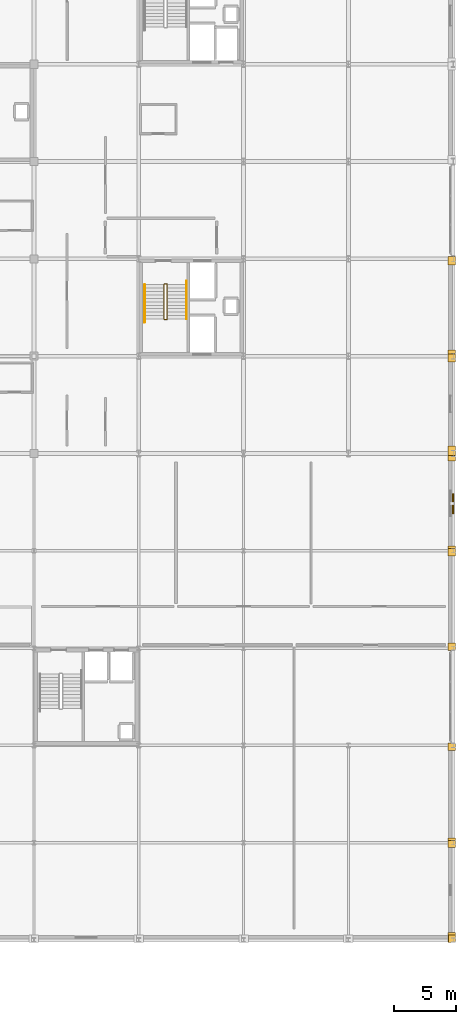
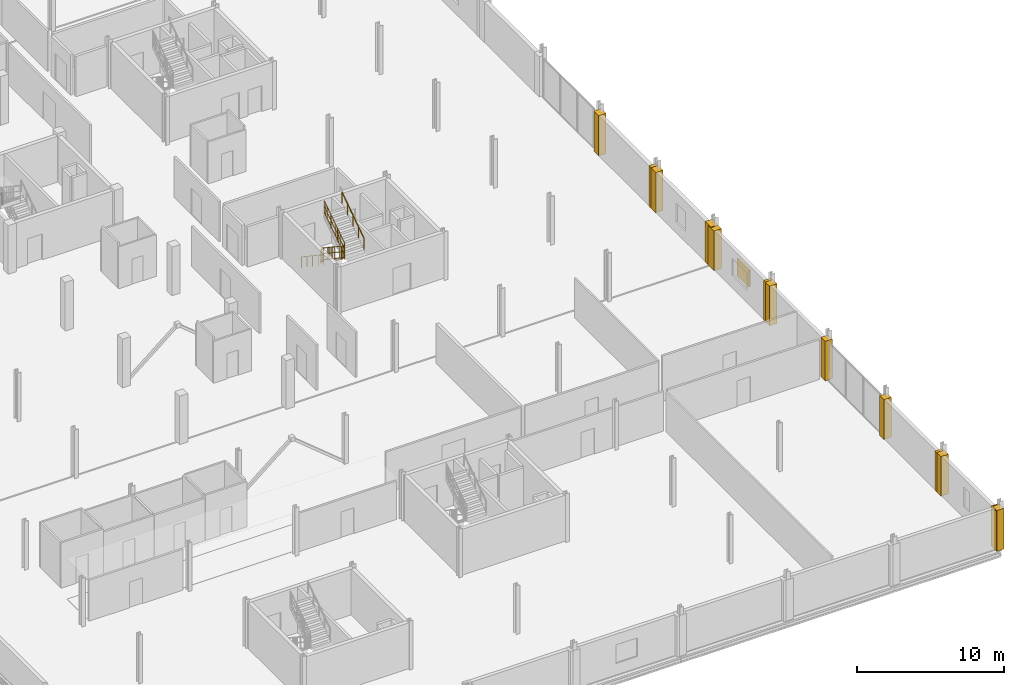
# One storey, part 75 of 77: 13 coverings, 6 railings, 1 shading device.
"""IFC4 building model written with IfcOpenShell, lengths in metres."""

from ifc_helpers import new_model, si_unit, direction, frame, origin, origin_2d, place, context, subcontext, project, spatial, polyline, rectangle, circle, outline, extrude, material, layer, layer_set, type_object, element, save


model = new_model("IFC4")

# Units and contexts
model_context = context("Model", 3, precision=1e-05, world=origin(), true_north=direction((0.0, 1.0)))
body_context = subcontext(model_context, "Body", "Model", "MODEL_VIEW")
ifc_project = project(units=[si_unit("LENGTHUNIT", "METRE"), si_unit("AREAUNIT", "SQUARE_METRE"), si_unit("VOLUMEUNIT", "CUBIC_METRE"), si_unit("PLANEANGLEUNIT", "RADIAN"), si_unit("MASSUNIT", "GRAM", prefix="KILO")], contexts=[model_context])

# Site, building, storey
site_placement = place(None, origin())
site = spatial("IfcSite", under=ifc_project, at=site_placement, CompositionType="ELEMENT")
building_placement = place(site_placement, origin())
building = spatial("IfcBuilding", under=site, at=building_placement, Name="Nabrawat Pavilion Hospital", CompositionType="ELEMENT")
storey_placement = place(building_placement, frame((0.0, 0.0, 14.85009765625)))
storey = spatial("IfcBuildingStorey", under=building, at=storey_placement, Name="L03", CompositionType="ELEMENT", Elevation=14.85009765625)

# Coverings
ifc_material_1 = material(Name="Precast concrete C40/50", Category="concrete")
ifc_layer_1 = layer(ifc_material_1, 0.360107421875, Name="Precast concrete C40/50")
ifc_layer_set_1 = layer_set([ifc_layer_1], Name="Precast concrete C40/50")
covering_type = type_object("IfcCoveringType", Name="Architectural Precast Column-Jamb Closure Reveal", PredefinedType="CLADDING", material=ifc_layer_set_1)
covering_1_placement = place(storey_placement, origin())
element("IfcCovering", 1, at=covering_1_placement, inside=storey, type_object=covering_type, Name="L03 Precast Facade Column-Jamb Weatherseal Closure 0483", PredefinedType="CLADDING", context=body_context, shape_type="SweptSolid", body=[
    extrude(outline(polyline([(193.3798828125, -0.179931640625), (193.3798828125, 0.39990234375), (192.820068359375, 0.39990234375), (192.820068359375, -0.179931640625), (193.3798828125, -0.179931640625)])), origin(), (0.0, 0.0, 1.0), 3.39990234375),
])
covering_2_placement = place(storey_placement, origin())
element("IfcCovering", 2, at=covering_2_placement, inside=storey, type_object=covering_type, Name="L03 Precast Facade Column-Jamb Weatherseal Closure 0497", PredefinedType="CLADDING", context=body_context, shape_type="SweptSolid", body=[
    extrude(outline(polyline([(193.3798828125, -0.179931640625), (193.3798828125, 0.6201171875), (192.800048828125, 0.6201171875), (192.800048828125, -0.179931640625), (193.3798828125, -0.179931640625)])), origin(), (0.0, 0.0, 1.0), 3.2998046875),
])
covering_3_placement = place(storey_placement, origin())
element("IfcCovering", 3, at=covering_3_placement, inside=storey, type_object=covering_type, Name="L03 Precast Facade Column-Jamb Weatherseal Closure 0498", PredefinedType="CLADDING", context=body_context, shape_type="SweptSolid", body=[
    extrude(outline(polyline([(193.3798828125, 7.39990234375), (193.3798828125, 7.97998046875), (192.800048828125, 7.97998046875), (192.800048828125, 7.39990234375), (193.3798828125, 7.39990234375)])), origin(), (0.0, 0.0, 1.0), 3.2998046875),
])
covering_4_placement = place(storey_placement, origin())
element("IfcCovering", 4, at=covering_4_placement, inside=storey, type_object=covering_type, Name="L03 Precast Facade Column-Jamb Weatherseal Closure 0499", PredefinedType="CLADDING", context=body_context, shape_type="SweptSolid", body=[
    extrude(outline(polyline([(193.3798828125, 7.6201171875), (193.3798828125, 8.199951171875), (192.800048828125, 8.199951171875), (192.800048828125, 7.6201171875), (193.3798828125, 7.6201171875)])), origin(), (0.0, 0.0, 1.0), 3.2998046875),
])
covering_5_placement = place(storey_placement, origin())
element("IfcCovering", 5, at=covering_5_placement, inside=storey, type_object=covering_type, Name="L03 Precast Facade Column-Jamb Weatherseal Closure 0500", PredefinedType="CLADDING", context=body_context, shape_type="SweptSolid", body=[
    extrude(outline(polyline([(193.3798828125, 15.199951171875), (193.3798828125, 15.780029296875), (192.800048828125, 15.780029296875), (192.800048828125, 15.199951171875), (193.3798828125, 15.199951171875)])), origin(), (0.0, 0.0, 1.0), 3.2998046875),
])
covering_6_placement = place(storey_placement, origin())
element("IfcCovering", 6, at=covering_6_placement, inside=storey, type_object=covering_type, Name="L03 Precast Facade Column-Jamb Weatherseal Closure 0501", PredefinedType="CLADDING", context=body_context, shape_type="SweptSolid", body=[
    extrude(outline(polyline([(193.3798828125, 23.219970703125), (193.3798828125, 23.800048828125), (192.800048828125, 23.800048828125), (192.800048828125, 23.219970703125), (193.3798828125, 23.219970703125)])), origin(), (0.0, 0.0, 1.0), 3.2998046875),
])
covering_7_placement = place(storey_placement, origin())
element("IfcCovering", 7, at=covering_7_placement, inside=storey, type_object=covering_type, Name="L03 Precast Facade Column-Jamb Weatherseal Closure 0502", PredefinedType="CLADDING", context=body_context, shape_type="SweptSolid", body=[
    extrude(outline(polyline([(193.3798828125, 30.800048828125), (193.3798828125, 31.3798828125), (192.800048828125, 31.3798828125), (192.800048828125, 30.800048828125), (193.3798828125, 30.800048828125)])), origin(), (0.0, 0.0, 1.0), 3.2998046875),
])
covering_8_placement = place(storey_placement, origin())
element("IfcCovering", 8, at=covering_8_placement, inside=storey, type_object=covering_type, Name="L03 Precast Facade Column-Jamb Weatherseal Closure 0503", PredefinedType="CLADDING", context=body_context, shape_type="SweptSolid", body=[
    extrude(outline(polyline([(193.3798828125, 31.02001953125), (193.3798828125, 31.60009765625), (192.800048828125, 31.60009765625), (192.800048828125, 31.02001953125), (193.3798828125, 31.02001953125)])), origin(), (0.0, 0.0, 1.0), 3.2998046875),
])
covering_9_placement = place(storey_placement, origin())
element("IfcCovering", 9, at=covering_9_placement, inside=storey, type_object=covering_type, Name="L03 Precast Facade Column-Jamb Weatherseal Closure 0504", PredefinedType="CLADDING", context=body_context, shape_type="SweptSolid", body=[
    extrude(outline(polyline([(193.3798828125, 38.3798828125), (193.3798828125, 39.179931640625), (192.800048828125, 39.179931640625), (192.800048828125, 38.3798828125), (193.3798828125, 38.3798828125)])), origin(), (0.0, 0.0, 1.0), 3.2998046875),
])
covering_10_placement = place(storey_placement, origin())
element("IfcCovering", 10, at=covering_10_placement, inside=storey, type_object=covering_type, Name="L03 Precast Facade Column-Jamb Weatherseal Closure 0505", PredefinedType="CLADDING", context=body_context, shape_type="SweptSolid", body=[
    extrude(outline(polyline([(193.3798828125, 38.820068359375), (193.3798828125, 39.6201171875), (192.800048828125, 39.6201171875), (192.800048828125, 38.820068359375), (193.3798828125, 38.820068359375)])), origin(), (0.0, 0.0, 1.0), 3.349853515625),
])
covering_11_placement = place(storey_placement, origin())
element("IfcCovering", 11, at=covering_11_placement, inside=storey, type_object=covering_type, Name="L03 Precast Facade Column-Jamb Weatherseal Closure 0506", PredefinedType="CLADDING", context=body_context, shape_type="SweptSolid", body=[
    extrude(outline(polyline([(193.3798828125, 46.320068359375), (193.3798828125, 46.97998046875), (192.800048828125, 46.97998046875), (192.800048828125, 46.320068359375), (193.3798828125, 46.320068359375)])), origin(), (0.0, 0.0, 1.0), 3.349853515625),
])
covering_12_placement = place(storey_placement, origin())
element("IfcCovering", 12, at=covering_12_placement, inside=storey, type_object=covering_type, Name="L03 Precast Facade Column-Jamb Weatherseal Closure 0507", PredefinedType="CLADDING", context=body_context, shape_type="SweptSolid", body=[
    extrude(outline(polyline([(193.3798828125, 46.6201171875), (193.3798828125, 47.280029296875), (192.800048828125, 47.280029296875), (192.800048828125, 46.6201171875), (193.3798828125, 46.6201171875)])), origin(), (0.0, 0.0, 1.0), 3.349853515625),
])
covering_13_placement = place(storey_placement, origin())
element("IfcCovering", 13, at=covering_13_placement, inside=storey, type_object=covering_type, Name="L03 Precast Facade Column-Jamb Weatherseal Closure 0508", PredefinedType="CLADDING", context=body_context, shape_type="SweptSolid", body=[
    extrude(outline(polyline([(193.3798828125, 54.1201171875), (193.3798828125, 54.780029296875), (192.800048828125, 54.780029296875), (192.800048828125, 54.1201171875), (193.3798828125, 54.1201171875)])), origin(), (0.0, 0.0, 1.0), 3.349853515625),
])

# Shading device
ifc_layer_2 = layer(ifc_material_1, 2.39990234375, Name="Precast concrete C40/50")
ifc_layer_set_2 = layer_set([ifc_layer_2], Name="Precast concrete C40/50")
shading_device_type = type_object("IfcShadingDeviceType", Name="Perforated GFRC Mashrabiya Solar Fin", PredefinedType="JALOUSIE", material=ifc_layer_set_2)
shading_device_placement = place(storey_placement, frame((193.18994140625, 34.989990234375, 1.050048828125), z_axis=(0.0, 0.0, 1.0), x_axis=(0.0, 1.0, 0.0)))
element("IfcShadingDevice", 14, at=shading_device_placement, inside=storey, type_object=shading_device_type, Name="L03 Perforated GFRC Mashrabiya Screen 017", PredefinedType="JALOUSIE", context=body_context, shape_type="SweptSolid", body=[
    extrude(rectangle(XDim=1.60009765625, YDim=0.139892578125, at=origin_2d()), origin(), (0.0, 0.0, 1.0), 1.39990234375),
])

# Railings
ifc_material_2 = material(Name="Stainless Steel 316", Category="steel")
ifc_layer_3 = layer(ifc_material_2, 0.050048828125, Name="Stainless Steel 316")
ifc_layer_set_3 = layer_set([ifc_layer_3], Name="Stainless Steel 316")
railing_type_1 = type_object("IfcRailingType", Name="Stair Open-Well Safety Guardrail 1100", PredefinedType="GUARDRAIL", material=ifc_layer_set_3)
railing_1_placement = place(storey_placement, frame((170.02490234375, 52.530029296875, 0.18408203125)))
element("IfcRailing", 15, at=railing_1_placement, inside=storey, type_object=railing_type_1, Name="L03 ST-05 stair guard 1", PredefinedType="GUARDRAIL", context=body_context, shape_type="SweptSolid", body=[
    extrude(circle(Radius=0.02392578125, at=origin_2d()), frame((0.0, 0.0, 1.076171875), z_axis=(0.0, -0.831004616288, 0.556265519071), x_axis=(1.0, 0.0, 0.0)), (0.0, 0.0, 1.0), 3.309326171875),
    extrude(circle(Radius=0.02392578125, at=origin_2d()), frame((0.0, 0.0, 0.10009765625), z_axis=(0.0, -0.831004616288, 0.556265519071), x_axis=(1.0, 0.0, 0.0)), (0.0, 0.0, 1.0), 3.309326171875),
    extrude(circle(Radius=0.02392578125, at=origin_2d()), frame((0.0, 0.0, 0.60498046875), z_axis=(0.0, -0.831004616288, 0.556265519071), x_axis=(1.0, 0.0, 0.0)), (0.0, 0.0, 1.0), 3.309326171875),
    extrude(circle(Radius=0.008056640625, at=origin_2d()), frame((0.0, -0.196533203125, 0.2314453125)), (0.0, 0.0, 1.0), 0.951904296875),
    extrude(circle(Radius=0.008056640625, at=origin_2d()), frame((0.0, -0.392822265625, 0.363037109375)), (0.0, 0.0, 1.0), 0.951904296875),
    extrude(circle(Radius=0.008056640625, at=origin_2d()), frame((0.0, -0.58935546875, 0.494384765625)), (0.0, 0.0, 1.0), 0.951904296875),
    extrude(circle(Radius=0.008056640625, at=origin_2d()), frame((0.0, -0.78564453125, 0.6259765625)), (0.0, 0.0, 1.0), 0.951904296875),
    extrude(circle(Radius=0.008056640625, at=origin_2d()), frame((0.0, -0.982177734375, 0.75732421875)), (0.0, 0.0, 1.0), 0.951904296875),
    extrude(circle(Radius=0.008056640625, at=origin_2d()), frame((0.0, -1.178466796875, 0.888916015625)), (0.0, 0.0, 1.0), 0.951904296875),
    extrude(circle(Radius=0.008056640625, at=origin_2d()), frame((0.0, -1.375, 1.0205078125)), (0.0, 0.0, 1.0), 0.951904296875),
    extrude(circle(Radius=0.008056640625, at=origin_2d()), frame((0.0, -1.571533203125, 1.15185546875)), (0.0, 0.0, 1.0), 0.951904296875),
    extrude(circle(Radius=0.008056640625, at=origin_2d()), frame((0.0, -1.767822265625, 1.283447265625)), (0.0, 0.0, 1.0), 0.951904296875),
    extrude(circle(Radius=0.008056640625, at=origin_2d()), frame((0.0, -1.96435546875, 1.414794921875)), (0.0, 0.0, 1.0), 0.951904296875),
    extrude(circle(Radius=0.008056640625, at=origin_2d()), frame((0.0, -2.16064453125, 1.54638671875)), (0.0, 0.0, 1.0), 0.951904296875),
    extrude(circle(Radius=0.008056640625, at=origin_2d()), frame((0.0, -2.357177734375, 1.677734375)), (0.0, 0.0, 1.0), 0.951904296875),
    extrude(circle(Radius=0.008056640625, at=origin_2d()), frame((0.0, -2.553466796875, 1.809326171875)), (0.0, 0.0, 1.0), 0.951904296875),
    extrude(circle(Radius=0.02099609375, at=origin_2d()), origin(), (0.0, 0.0, 1.0), 1.052001953125),
    extrude(circle(Radius=0.02099609375, at=origin_2d()), frame((0.0, -0.916748046875, 0.613525390625)), (0.0, 0.0, 1.0), 1.052001953125),
    extrude(circle(Radius=0.02099609375, at=origin_2d()), frame((0.0, -1.833251953125, 1.227294921875)), (0.0, 0.0, 1.0), 1.052001953125),
    extrude(circle(Radius=0.02099609375, at=origin_2d()), frame((0.0, -2.75, 1.8408203125)), (0.0, 0.0, 1.0), 1.052001953125),
])
railing_2_placement = place(storey_placement, frame((170.050048828125, 49.72998046875, 2.02490234375)))
element("IfcRailing", 16, at=railing_2_placement, inside=storey, type_object=railing_type_1, Name="L03 ST-05 stair guard 2", PredefinedType="GUARDRAIL", context=body_context, shape_type="SweptSolid", body=[
    extrude(circle(Radius=0.02392578125, at=origin_2d()), frame((0.0, 0.0, 1.076171875), z_axis=(1.0, 0.0, 0.0), x_axis=(0.0, 1.0, 0.0)), (0.0, 0.0, 1.0), 0.199951171875),
    extrude(circle(Radius=0.02392578125, at=origin_2d()), frame((0.0, 0.0, 0.10009765625), z_axis=(1.0, 0.0, 0.0), x_axis=(0.0, 1.0, 0.0)), (0.0, 0.0, 1.0), 0.199951171875),
    extrude(circle(Radius=0.02392578125, at=origin_2d()), frame((0.0, 0.0, 0.60498046875), z_axis=(1.0, 0.0, 0.0), x_axis=(0.0, 1.0, 0.0)), (0.0, 0.0, 1.0), 0.199951171875),
    extrude(circle(Radius=0.008056640625, at=origin_2d()), frame((0.10009765625, 0.0, 0.10009765625)), (0.0, 0.0, 1.0), 0.951904296875),
    extrude(circle(Radius=0.02099609375, at=origin_2d()), origin(), (0.0, 0.0, 1.0), 1.052001953125),
    extrude(circle(Radius=0.02099609375, at=origin_2d()), frame((0.199951171875, 0.0, 0.0)), (0.0, 0.0, 1.0), 1.052001953125),
])
railing_3_placement = place(storey_placement, frame((170.27490234375, 49.780029296875, 2.208984375)))
element("IfcRailing", 17, at=railing_3_placement, inside=storey, type_object=railing_type_1, Name="L03 ST-05 stair guard 3", PredefinedType="GUARDRAIL", context=body_context, shape_type="SweptSolid", body=[
    extrude(circle(Radius=0.02392578125, at=origin_2d()), frame((0.0, 0.0, 1.076171875), z_axis=(0.0, 0.831004616288, 0.556265519071), x_axis=(-1.0, 0.0, 0.0)), (0.0, 0.0, 1.0), 3.309326171875),
    extrude(circle(Radius=0.02392578125, at=origin_2d()), frame((0.0, 0.0, 0.10009765625), z_axis=(0.0, 0.831004616288, 0.556265519071), x_axis=(-1.0, 0.0, 0.0)), (0.0, 0.0, 1.0), 3.309326171875),
    extrude(circle(Radius=0.02392578125, at=origin_2d()), frame((0.0, 0.0, 0.60498046875), z_axis=(0.0, 0.831004616288, 0.556265519071), x_axis=(-1.0, 0.0, 0.0)), (0.0, 0.0, 1.0), 3.309326171875),
    extrude(circle(Radius=0.008056640625, at=origin_2d()), frame((0.0, 0.196533203125, 0.2314453125)), (0.0, 0.0, 1.0), 0.951904296875),
    extrude(circle(Radius=0.008056640625, at=origin_2d()), frame((0.0, 0.392822265625, 0.363037109375)), (0.0, 0.0, 1.0), 0.951904296875),
    extrude(circle(Radius=0.008056640625, at=origin_2d()), frame((0.0, 0.58935546875, 0.494384765625)), (0.0, 0.0, 1.0), 0.951904296875),
    extrude(circle(Radius=0.008056640625, at=origin_2d()), frame((0.0, 0.78564453125, 0.6259765625)), (0.0, 0.0, 1.0), 0.951904296875),
    extrude(circle(Radius=0.008056640625, at=origin_2d()), frame((0.0, 0.982177734375, 0.75732421875)), (0.0, 0.0, 1.0), 0.951904296875),
    extrude(circle(Radius=0.008056640625, at=origin_2d()), frame((0.0, 1.178466796875, 0.888916015625)), (0.0, 0.0, 1.0), 0.951904296875),
    extrude(circle(Radius=0.008056640625, at=origin_2d()), frame((0.0, 1.375, 1.0205078125)), (0.0, 0.0, 1.0), 0.951904296875),
    extrude(circle(Radius=0.008056640625, at=origin_2d()), frame((0.0, 1.571533203125, 1.15185546875)), (0.0, 0.0, 1.0), 0.951904296875),
    extrude(circle(Radius=0.008056640625, at=origin_2d()), frame((0.0, 1.767822265625, 1.283447265625)), (0.0, 0.0, 1.0), 0.951904296875),
    extrude(circle(Radius=0.008056640625, at=origin_2d()), frame((0.0, 1.96435546875, 1.414794921875)), (0.0, 0.0, 1.0), 0.951904296875),
    extrude(circle(Radius=0.008056640625, at=origin_2d()), frame((0.0, 2.16064453125, 1.54638671875)), (0.0, 0.0, 1.0), 0.951904296875),
    extrude(circle(Radius=0.008056640625, at=origin_2d()), frame((0.0, 2.357177734375, 1.677734375)), (0.0, 0.0, 1.0), 0.951904296875),
    extrude(circle(Radius=0.008056640625, at=origin_2d()), frame((0.0, 2.553466796875, 1.809326171875)), (0.0, 0.0, 1.0), 0.951904296875),
    extrude(circle(Radius=0.02099609375, at=origin_2d()), origin(), (0.0, 0.0, 1.0), 1.052001953125),
    extrude(circle(Radius=0.02099609375, at=origin_2d()), frame((0.0, 0.916748046875, 0.613525390625)), (0.0, 0.0, 1.0), 1.052001953125),
    extrude(circle(Radius=0.02099609375, at=origin_2d()), frame((0.0, 1.833251953125, 1.227294921875)), (0.0, 0.0, 1.0), 1.052001953125),
    extrude(circle(Radius=0.02099609375, at=origin_2d()), frame((0.0, 2.75, 1.8408203125)), (0.0, 0.0, 1.0), 1.052001953125),
])
railing_4_placement = place(storey_placement, frame((170.050048828125, 52.580078125, 0.0)))
element("IfcRailing", 18, at=railing_4_placement, inside=storey, type_object=railing_type_1, Name="L03 ST-05 stair guard 4", PredefinedType="GUARDRAIL", context=body_context, shape_type="SweptSolid", body=[
    extrude(circle(Radius=0.02392578125, at=origin_2d()), frame((0.0, 0.0, 1.076171875), z_axis=(1.0, 0.0, 0.0), x_axis=(0.0, 1.0, 0.0)), (0.0, 0.0, 1.0), 0.199951171875),
    extrude(circle(Radius=0.02392578125, at=origin_2d()), frame((0.0, 0.0, 0.10009765625), z_axis=(1.0, 0.0, 0.0), x_axis=(0.0, 1.0, 0.0)), (0.0, 0.0, 1.0), 0.199951171875),
    extrude(circle(Radius=0.02392578125, at=origin_2d()), frame((0.0, 0.0, 0.60498046875), z_axis=(1.0, 0.0, 0.0), x_axis=(0.0, 1.0, 0.0)), (0.0, 0.0, 1.0), 0.199951171875),
    extrude(circle(Radius=0.008056640625, at=origin_2d()), frame((0.10009765625, 0.0, 0.10009765625)), (0.0, 0.0, 1.0), 0.951904296875),
    extrude(circle(Radius=0.02099609375, at=origin_2d()), origin(), (0.0, 0.0, 1.0), 1.052001953125),
    extrude(circle(Radius=0.02099609375, at=origin_2d()), frame((0.199951171875, 0.0, 0.0)), (0.0, 0.0, 1.0), 1.052001953125),
])
ifc_layer_4 = layer(ifc_material_2, 0.044921875, Name="Stainless Steel 316")
ifc_layer_set_4 = layer_set([ifc_layer_4], Name="Stainless Steel 316")
railing_type_2 = type_object("IfcRailingType", Name="Stair Pitch Continuous Handrail 920", PredefinedType="HANDRAIL", material=ifc_layer_set_4)
railing_5_placement = place(storey_placement, frame((168.47509765625, 52.530029296875, 0.18798828125)))
element("IfcRailing", 19, at=railing_5_placement, inside=storey, type_object=railing_type_2, Name="L03 ST-05 stair handrail 1", PredefinedType="HANDRAIL", context=body_context, shape_type="SweptSolid", body=[
    extrude(circle(Radius=0.02392578125, at=origin_2d()), frame((0.0, 0.0, 0.89599609375), z_axis=(0.0, -0.830986065984, 0.556293230356), x_axis=(1.0, 0.0, 0.0)), (0.0, 0.0, 1.0), 3.640380859375),
    extrude(circle(Radius=0.02099609375, at=origin_2d()), origin(), (0.0, 0.0, 1.0), 0.871826171875),
    extrude(circle(Radius=0.02099609375, at=origin_2d()), frame((0.0, -0.75634765625, 0.50634765625)), (0.0, 0.0, 1.0), 0.871826171875),
    extrude(circle(Radius=0.02099609375, at=origin_2d()), frame((0.0, -1.5126953125, 1.0126953125)), (0.0, 0.0, 1.0), 0.871826171875),
    extrude(circle(Radius=0.02099609375, at=origin_2d()), frame((0.0, -2.268798828125, 1.518798828125)), (0.0, 0.0, 1.0), 0.871826171875),
    extrude(circle(Radius=0.02099609375, at=origin_2d()), frame((0.0, -3.025146484375, 2.025146484375)), (0.0, 0.0, 1.0), 0.871826171875),
])
railing_6_placement = place(storey_placement, frame((171.824951171875, 49.780029296875, 2.213134765625)))
element("IfcRailing", 20, at=railing_6_placement, inside=storey, type_object=railing_type_2, Name="L03 ST-05 stair handrail 2", PredefinedType="HANDRAIL", context=body_context, shape_type="SweptSolid", body=[
    extrude(circle(Radius=0.02392578125, at=origin_2d()), frame((0.0, 0.0, 0.89599609375), z_axis=(0.0, 0.830996314782, 0.556277920484), x_axis=(-1.0, 0.0, 0.0)), (0.0, 0.0, 1.0), 3.64013671875),
    extrude(circle(Radius=0.02099609375, at=origin_2d()), origin(), (0.0, 0.0, 1.0), 0.871826171875),
    extrude(circle(Radius=0.02099609375, at=origin_2d()), frame((0.0, 0.75634765625, 0.50634765625)), (0.0, 0.0, 1.0), 0.871826171875),
    extrude(circle(Radius=0.02099609375, at=origin_2d()), frame((0.0, 1.512451171875, 1.012451171875)), (0.0, 0.0, 1.0), 0.871826171875),
    extrude(circle(Radius=0.02099609375, at=origin_2d()), frame((0.0, 2.2685546875, 1.5185546875)), (0.0, 0.0, 1.0), 0.871826171875),
    extrude(circle(Radius=0.02099609375, at=origin_2d()), frame((0.0, 3.02490234375, 2.02490234375)), (0.0, 0.0, 1.0), 0.871826171875),
])

save(model, "model.ifc")
